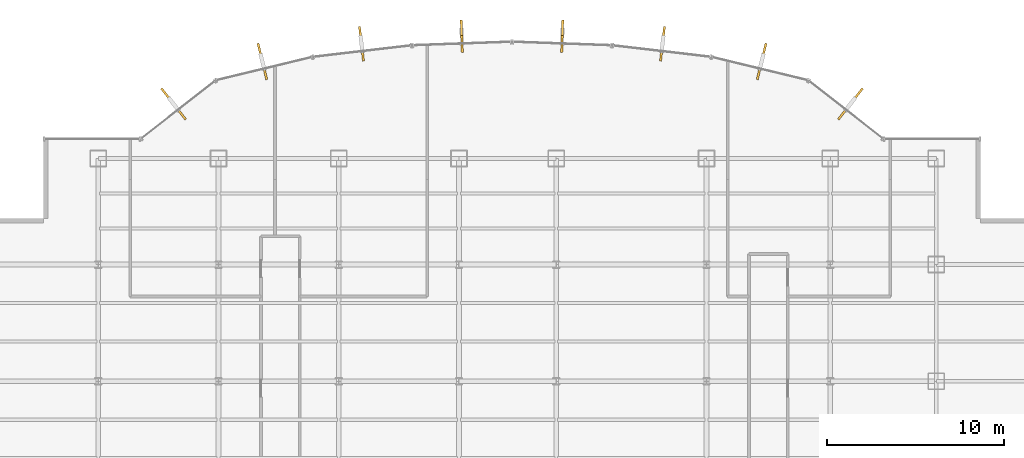
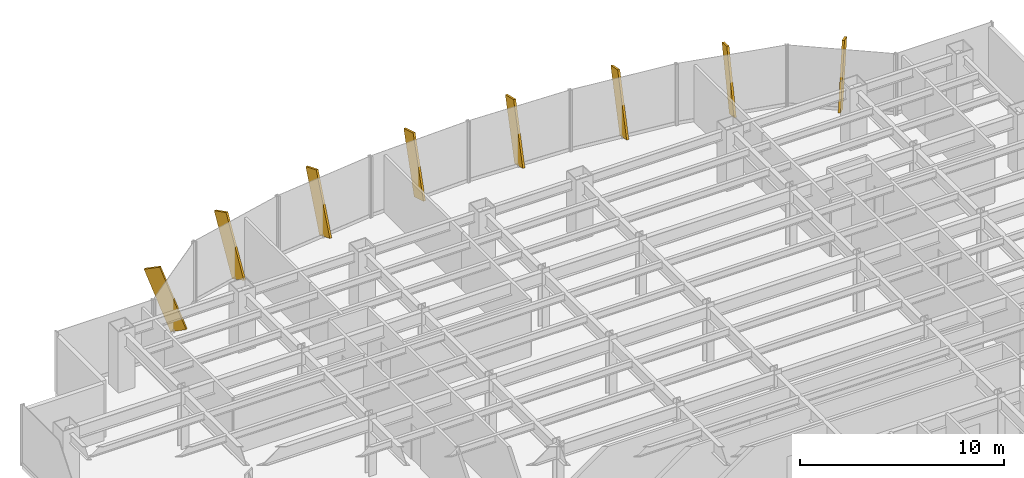
# One storey, part 21 of 22: 8 shading devices.
"""IFC4 building model written with IfcOpenShell, lengths in metres."""

from ifc_helpers import new_model, si_unit, derived_unit, direction, frame, origin, origin_2d, place, context, subcontext, project, spatial, rectangle, extrude, source, transform, mapped, material, type_object, element, save


model = new_model("IFC4")

# Units and contexts
model_context = context("Model", 3, precision=1e-05, world=origin(), true_north=direction((0.0, 1.0)))
body_context = subcontext(model_context, "Body", "Model", "MODEL_VIEW")
ifc_project = project(units=[si_unit("LENGTHUNIT", "METRE"), si_unit("AREAUNIT", "SQUARE_METRE"), si_unit("VOLUMEUNIT", "CUBIC_METRE"), si_unit("PLANEANGLEUNIT", "RADIAN"), si_unit("MASSUNIT", "GRAM", prefix="KILO"), derived_unit("THERMALTRANSMITTANCEUNIT", [(si_unit("POWERUNIT", "WATT"), 1), (si_unit("LENGTHUNIT", "METRE"), -2), (si_unit("THERMODYNAMICTEMPERATUREUNIT", "KELVIN"), -1)])], contexts=[model_context])

# Site, building, storey
site_placement = place(None, origin())
site = spatial("IfcSite", under=ifc_project, at=site_placement, CompositionType="ELEMENT")
building_placement = place(site_placement, origin())
building = spatial("IfcBuilding", under=site, at=building_placement, Name="Skarnbrae Concourse Arena and Tower", CompositionType="ELEMENT")
storey_placement = place(building_placement, frame((0.0, 0.0, 39.800048828125)))
storey = spatial("IfcBuildingStorey", under=building, at=storey_placement, Name="L08", CompositionType="ELEMENT", Elevation=39.800048828125)

# Shading devices
ifc_material = material(Name="Bronze anodised aluminium 6063-T6", Category="aluminium")
shading_device_type = type_object("IfcShadingDeviceType", Name="SHD-BRONZE-FIN-900", PredefinedType="USERDEFINED", material=ifc_material)
shared_shape = source(origin(), body_context, "Body", "SweptSolid", [
    extrude(rectangle(XDim=0.1201171875, YDim=0.89990234375, at=origin_2d()), origin(), (0.0, 0.0, 1.0), 3.64990234375),
])
for number, where, z_axis, x_axis, name in (
    (1, (49.7109375, 42.93603515625, 0.13916015625), (0.236075101385, 0.301803893194, 0.9236790333), (0.787656027369, -0.616115234797, 0.0), "L08 Outward-leaning bronze shading fin 08"),
    (2, (44.968994140625, 45.26806640625, 0.11376953125), (0.081676962767, 0.337689462029, 0.937707150974), (0.971973311258, -0.235091221021, 0.0), "L08 Outward-leaning bronze shading fin 09"),
    (3, (39.447265625, 46.331298828125, 0.087646484375), (0.03551349388, 0.303960045953, 0.952022626946), (0.993243759876, -0.116046686587, 0.0), "L08 Outward-leaning bronze shading fin 10"),
    (4, (33.82470703125, 46.83740234375, 0.064453125), (0.009459297198, 0.263366520486, 0.964649468762), (0.999355613141, -0.035893710914, 0.0), "L08 Outward-leaning bronze shading fin 11"),
    (5, (28.17529296875, 46.83740234375, 0.064453125), (-0.009459297198, 0.263366520486, 0.964649468762), (0.999355613141, 0.035893710914, 0.0), "L08 Outward-leaning bronze shading fin 12"),
    (6, (22.552734375, 46.331298828125, 0.087646484375), (-0.03551349388, 0.303960045953, 0.952022626946), (0.993243759876, 0.116046686587, 0.0), "L08 Outward-leaning bronze shading fin 13"),
    (7, (17.031005859375, 45.26806640625, 0.11376953125), (-0.081676962767, 0.337689462029, 0.937707150974), (0.971973311258, 0.235091221021, 0.0), "L08 Outward-leaning bronze shading fin 14"),
    (8, (12.2890625, 42.93603515625, 0.13916015625), (-0.236075101385, 0.301803893194, 0.9236790333), (0.787656027369, 0.616115234797, 0.0), "L08 Outward-leaning bronze shading fin 15"),
):
    element("IfcShadingDevice", number, at=place(storey_placement, frame(where, z_axis=z_axis, x_axis=x_axis)), inside=storey, type_object=shading_device_type, Name=name, ObjectType="FIN", PredefinedType="USERDEFINED", context=body_context, shape_type="MappedRepresentation", body=[
        mapped(shared_shape, transform((0.0, 0.0, 0.0))),
    ])

save(model, "model.ifc")
